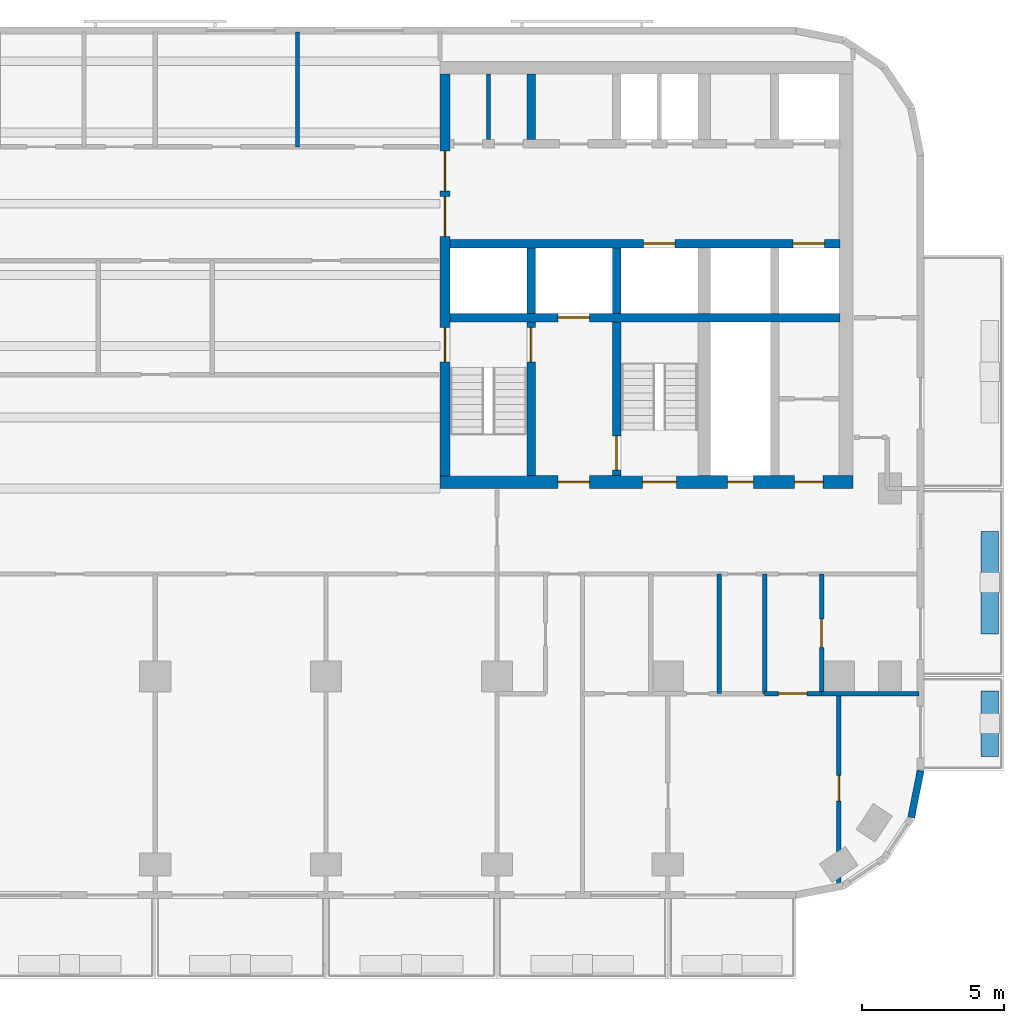
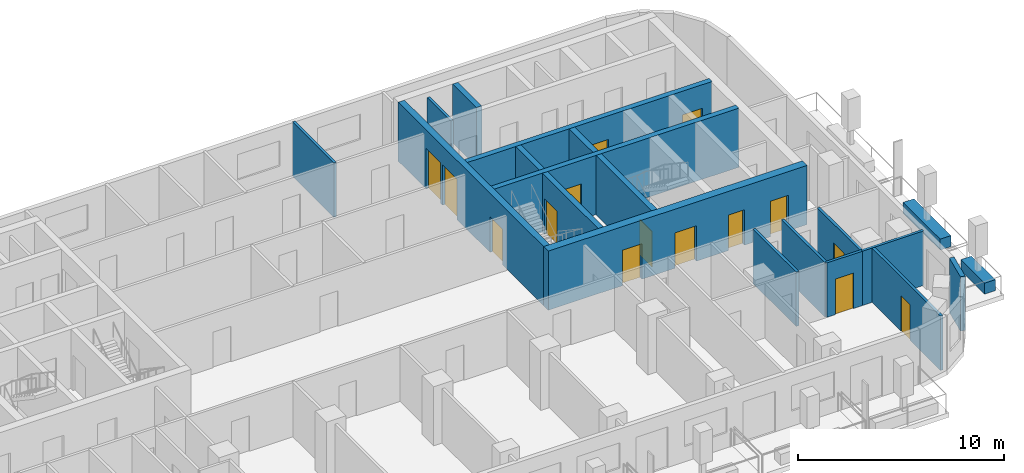
# One storey, part 6 of 12: 20 walls, 15 doors, 15 openings.
"""IFC4 building model written with IfcOpenShell, lengths in metres."""

from ifc_helpers import new_model, si_unit, direction, frame, frame_2d, origin, place, context, subcontext, project, spatial, rectangle, extrude, material, layer, layer_set, type_object, element, fill, save


model = new_model("IFC4")

# Units and contexts
model_context = context("Model", 3, precision=1e-05, world=origin(), true_north=direction((0.0, 1.0)))
body_context = subcontext(model_context, "Body", "Model", "MODEL_VIEW")
ifc_project = project(units=[si_unit("LENGTHUNIT", "METRE"), si_unit("AREAUNIT", "SQUARE_METRE"), si_unit("VOLUMEUNIT", "CUBIC_METRE"), si_unit("PLANEANGLEUNIT", "RADIAN"), si_unit("MASSUNIT", "GRAM", prefix="KILO")], contexts=[model_context])

# Site, building, storey
site_placement = place(None, origin())
site = spatial("IfcSite", under=ifc_project, at=site_placement, CompositionType="ELEMENT")
building_placement = place(site_placement, origin())
building = spatial("IfcBuilding", under=site, at=building_placement, Name="Torana Hotel and Residences", CompositionType="ELEMENT")
storey_placement = place(building_placement, frame((0.0, 0.0, 201.10009765625)))
storey = spatial("IfcBuildingStorey", under=building, at=storey_placement, Name="L52", CompositionType="ELEMENT", Elevation=201.10009765625)

# Wall, openings, doors
ifc_material_1 = material(Name="Concrete C70/85", Category="concrete")
ifc_layer_1 = layer(ifc_material_1, 0.300048828125)
ifc_layer_set_1 = layer_set([ifc_layer_1], Name="CORE WALL 300 C70/85")
wall_type_1 = type_object("IfcWallType", Name="CORE WALL 300 C70/85", PredefinedType="SHEAR", material=ifc_layer_set_1)
wall_1_placement = place(storey_placement, frame((10.35009765625, -6.39990234375, 0.0), z_axis=(0.0, 0.0, 1.0), x_axis=(1.0, 0.0, 0.0)))
wall_1 = element("IfcWall", 1, at=wall_1_placement, inside=storey, type_object=wall_type_1, Name="Core wall E row-S", PredefinedType="SHEAR", context=body_context, shape_type="SweptSolid", body=[
    extrude(rectangle(XDim=13.699951171875, YDim=0.300048828125, at=frame_2d((6.85009765625, 0.0))), origin(), (0.0, 0.0, 1.0), 3.5),
])
opening_1_placement = place(wall_1_placement, frame((12.050048828125, 0.0, 0.0)))
opening_1 = element("IfcOpeningElement", 2, at=opening_1_placement, cuts=wall_1, Name="Opening LD", PredefinedType="OPENING", context=body_context, shape_type="SweptSolid", body=[
    extrude(rectangle(XDim=1.10009765625, YDim=2.10009765625, at=frame_2d((0.550048828125, 1.050048828125))), frame((0.0, 0.159912109375, 0.0), z_axis=(0.0, -1.0, 0.0), x_axis=(1.0, 0.0, 0.0)), (0.0, 0.0, 1.0), 0.320068359375),
])
opening_2_placement = place(wall_1_placement, frame((6.800048828125, 0.0, 0.0)))
opening_2 = element("IfcOpeningElement", 3, at=opening_2_placement, cuts=wall_1, Name="Opening LD", PredefinedType="OPENING", context=body_context, shape_type="SweptSolid", body=[
    extrude(rectangle(XDim=1.10009765625, YDim=2.10009765625, at=frame_2d((0.550048828125, 1.050048828125))), frame((0.0, 0.159912109375, 0.0), z_axis=(0.0, -1.0, 0.0), x_axis=(1.0, 0.0, 0.0)), (0.0, 0.0, 1.0), 0.320068359375),
])
ifc_material_2 = material(Name="Stainless steel 316", Category="steel")
door_type_1 = type_object("IfcDoorType", Name="LIFT LANDING DOOR LD 1100x2100", OperationType="DOUBLE_DOOR_SLIDING", PredefinedType="USERDEFINED", material=ifc_material_2)
door_1_placement = place(opening_1_placement, origin())
door_1 = element("IfcDoor", 4, at=door_1_placement, inside=storey, type_object=door_type_1, Name="Lift landing door M4 L52", ObjectType="LIFT LANDING DOOR", OperationType="DOUBLE_DOOR_SLIDING", OverallHeight=2.10009765625, OverallWidth=1.10009765625, PredefinedType="USERDEFINED", context=body_context, shape_type="SweptSolid", body=[
    extrude(rectangle(XDim=1.10009765625, YDim=2.10009765625, at=frame_2d((0.550048828125, 1.050048828125))), frame((0.0, 0.02490234375, 0.0), z_axis=(0.0, -1.0, 0.0), x_axis=(1.0, 0.0, 0.0)), (0.0, 0.0, 1.0), 0.050048828125),
])
fill(opening_1, door_1)
door_2_placement = place(opening_2_placement, origin())
door_2 = element("IfcDoor", 5, at=door_2_placement, inside=storey, type_object=door_type_1, Name="Lift landing door SV2 L52", ObjectType="LIFT LANDING DOOR", OperationType="DOUBLE_DOOR_SLIDING", OverallHeight=2.10009765625, OverallWidth=1.10009765625, PredefinedType="USERDEFINED", context=body_context, shape_type="SweptSolid", body=[
    extrude(rectangle(XDim=1.10009765625, YDim=2.10009765625, at=frame_2d((0.550048828125, 1.050048828125))), frame((0.0, 0.02490234375, 0.0), z_axis=(0.0, -1.0, 0.0), x_axis=(1.0, 0.0, 0.0)), (0.0, 0.0, 1.0), 0.050048828125),
])
fill(opening_2, door_2)

# Wall, opening, door
wall_2_placement = place(storey_placement, frame((10.35009765625, -9.0, 0.0), z_axis=(0.0, 0.0, 1.0), x_axis=(1.0, 0.0, 0.0)))
wall_2 = element("IfcWall", 6, at=wall_2_placement, inside=storey, type_object=wall_type_1, Name="Core wall E band", PredefinedType="SHEAR", context=body_context, shape_type="SweptSolid", body=[
    extrude(rectangle(XDim=13.699951171875, YDim=0.300048828125, at=frame_2d((6.85009765625, 0.0))), origin(), (0.0, 0.0, 1.0), 3.5),
])
opening_3_placement = place(wall_2_placement, frame((3.800048828125, 0.0, 0.0)))
opening_3 = element("IfcOpeningElement", 7, at=opening_3_placement, cuts=wall_2, Name="Opening LD", PredefinedType="OPENING", context=body_context, shape_type="SweptSolid", body=[
    extrude(rectangle(XDim=1.10009765625, YDim=2.10009765625, at=frame_2d((0.550048828125, 1.050048828125))), frame((0.0, 0.159912109375, 0.0), z_axis=(0.0, -1.0, 0.0), x_axis=(1.0, 0.0, 0.0)), (0.0, 0.0, 1.0), 0.320068359375),
])
door_3_placement = place(opening_3_placement, origin())
door_3 = element("IfcDoor", 8, at=door_3_placement, inside=storey, type_object=door_type_1, Name="Lift landing door FF2 L52", ObjectType="LIFT LANDING DOOR", OperationType="DOUBLE_DOOR_SLIDING", OverallHeight=2.10009765625, OverallWidth=1.10009765625, PredefinedType="USERDEFINED", context=body_context, shape_type="SweptSolid", body=[
    extrude(rectangle(XDim=1.10009765625, YDim=2.10009765625, at=frame_2d((0.550048828125, 1.050048828125))), frame((0.0, 0.02490234375, 0.0), z_axis=(0.0, -1.0, 0.0), x_axis=(1.0, 0.0, 0.0)), (0.0, 0.0, 1.0), 0.050048828125),
])
fill(opening_3, door_3)

# Walls
for number, where, z_axis, x_axis, name in (
    (9, (13.199951171875, -2.75, 0.0), (0.0, 0.0, 1.0), (0.0, 1.0, 0.0), "Core wall E x3.05-N"),
    (10, (13.199951171875, -8.85009765625, 0.0), (0.0, 0.0, 1.0), (0.0, 1.0, 0.0), "Core wall E x3.05-S"),
):
    element("IfcWall", number, at=place(storey_placement, frame(where, z_axis=z_axis, x_axis=x_axis)), inside=storey, type_object=wall_type_1, Name=name, PredefinedType="SHEAR", context=body_context, shape_type="SweptSolid", body=[
        extrude(rectangle(XDim=2.300048828125, YDim=0.300048828125, at=frame_2d((1.14990234375, 0.0))), origin(), (0.0, 0.0, 1.0), 3.5),
    ])

# Wall, opening, door
wall_3_placement = place(storey_placement, frame((13.199951171875, -14.550048828125, 0.0), z_axis=(0.0, 0.0, 1.0), x_axis=(0.0, 1.0, 0.0)))
wall_3 = element("IfcWall", 11, at=wall_3_placement, inside=storey, type_object=wall_type_1, Name="Core wall E x3.05-band", PredefinedType="SHEAR", context=body_context, shape_type="SweptSolid", body=[
    extrude(rectangle(XDim=5.400146484375, YDim=0.300048828125, at=frame_2d((2.7001953125, 0.0))), origin(), (0.0, 0.0, 1.0), 3.5),
])
opening_4_placement = place(wall_3_placement, frame((4.0, 0.0, 0.0)))
opening_4 = element("IfcOpeningElement", 12, at=opening_4_placement, cuts=wall_3, Name="Opening L52-29", PredefinedType="OPENING", context=body_context, shape_type="SweptSolid", body=[
    extrude(rectangle(XDim=1.199951171875, YDim=2.10009765625, at=frame_2d((0.60009765625, 1.050048828125))), frame((0.0, 0.159912109375, 0.0), z_axis=(0.0, -1.0, 0.0), x_axis=(1.0, 0.0, 0.0)), (0.0, 0.0, 1.0), 0.320068359375),
])
ifc_material_3 = material(Name="Steel S235", Category="steel")
door_type_2 = type_object("IfcDoorType", Name="STAIR FIRE DOOR D3 1200x2100", OperationType="SINGLE_SWING_LEFT", PredefinedType="DOOR", material=ifc_material_3)
door_4_placement = place(opening_4_placement, origin())
door_4 = element("IfcDoor", 13, at=door_4_placement, inside=storey, type_object=door_type_2, Name="Stair-A-lobby door L52", OperationType="SINGLE_SWING_LEFT", OverallHeight=2.10009765625, OverallWidth=1.199951171875, PredefinedType="DOOR", context=body_context, shape_type="SweptSolid", body=[
    extrude(rectangle(XDim=1.199951171875, YDim=2.10009765625, at=frame_2d((0.60009765625, 1.050048828125))), frame((0.0, 0.02490234375, 0.0), z_axis=(0.0, -1.0, 0.0), x_axis=(1.0, 0.0, 0.0)), (0.0, 0.0, 1.0), 0.050048828125),
])
fill(opening_4, door_4)

# Wall
wall_4_placement = place(storey_placement, frame((16.199951171875, -8.85009765625, 0.0), z_axis=(0.0, 0.0, 1.0), x_axis=(0.0, 1.0, 0.0)))
element("IfcWall", 14, at=wall_4_placement, inside=storey, type_object=wall_type_1, Name="Core wall E x6.05-S", PredefinedType="SHEAR", context=body_context, shape_type="SweptSolid", body=[
    extrude(rectangle(XDim=2.300048828125, YDim=0.300048828125, at=frame_2d((1.14990234375, 0.0))), origin(), (0.0, 0.0, 1.0), 3.5),
])

# Wall, opening, door
wall_5_placement = place(storey_placement, frame((16.199951171875, -14.550048828125, 0.0), z_axis=(0.0, 0.0, 1.0), x_axis=(0.0, 1.0, 0.0)))
wall_5 = element("IfcWall", 15, at=wall_5_placement, inside=storey, type_object=wall_type_1, Name="Core wall E x6.05-band", PredefinedType="SHEAR", context=body_context, shape_type="SweptSolid", body=[
    extrude(rectangle(XDim=5.400146484375, YDim=0.300048828125, at=frame_2d((2.7001953125, 0.0))), origin(), (0.0, 0.0, 1.0), 3.5),
])
opening_5_placement = place(wall_5_placement, frame((0.199951171875, 0.0, 0.0)))
opening_5 = element("IfcOpeningElement", 16, at=opening_5_placement, cuts=wall_5, Name="Opening L52-30", PredefinedType="OPENING", context=body_context, shape_type="SweptSolid", body=[
    extrude(rectangle(XDim=1.199951171875, YDim=2.10009765625, at=frame_2d((0.60009765625, 1.050048828125))), frame((0.0, 0.159912109375, 0.0), z_axis=(0.0, -1.0, 0.0), x_axis=(1.0, 0.0, 0.0)), (0.0, 0.0, 1.0), 0.320068359375),
])
door_5_placement = place(opening_5_placement, frame((0.60009765625, 0.0, 0.0), z_axis=(0.0, 0.0, 1.0), x_axis=(-1.0, 0.0, 0.0)))
door_5 = element("IfcDoor", 17, at=door_5_placement, inside=storey, type_object=door_type_2, Name="Stair-B-lobby door L52", OperationType="SINGLE_SWING_LEFT", OverallHeight=2.10009765625, OverallWidth=1.199951171875, PredefinedType="DOOR", context=body_context, shape_type="SweptSolid", body=[
    extrude(rectangle(XDim=1.199951171875, YDim=2.10009765625, at=frame_2d((0.0, 1.050048828125))), frame((0.0, -0.02490234375, 0.0), z_axis=(0.0, 1.0, 0.0), x_axis=(-1.0, 0.0, 0.0)), (0.0, 0.0, 1.0), 0.050048828125),
])
fill(opening_5, door_5)

# Wall, openings, doors
ifc_material_4 = material(Name="Concrete C70/85", Category="concrete")
ifc_layer_2 = layer(ifc_material_4, 0.35009765625)
ifc_layer_set_2 = layer_set([ifc_layer_2], Name="CORE WALL 350 C70/85")
wall_type_2 = type_object("IfcWallType", Name="CORE WALL 350 C70/85", PredefinedType="SHEAR", material=ifc_layer_set_2)
wall_6_placement = place(storey_placement, frame((10.175048828125, -14.550048828125, 0.0), z_axis=(0.0, 0.0, 1.0), x_axis=(0.0, 1.0, 0.0)))
wall_6 = element("IfcWall", 18, at=wall_6_placement, inside=storey, type_object=wall_type_2, Name="Core wall E arch", PredefinedType="SHEAR", context=body_context, shape_type="SweptSolid", body=[
    extrude(rectangle(XDim=14.10009765625, YDim=0.35009765625, at=frame_2d((7.050048828125, 0.0))), origin(), (0.0, 0.0, 1.0), 3.5),
])
opening_6_placement = place(wall_6_placement, frame((8.39990234375, 0.0, 0.0)))
opening_6 = element("IfcOpeningElement", 19, at=opening_6_placement, cuts=wall_6, Name="Opening L52-16", PredefinedType="OPENING", context=body_context, shape_type="SweptSolid", body=[
    extrude(rectangle(XDim=1.39990234375, YDim=2.39990234375, at=frame_2d((0.699951171875, 1.199951171875))), frame((0.0, 0.18505859375, 0.0), z_axis=(0.0, -1.0, 0.0), x_axis=(1.0, 0.0, 0.0)), (0.0, 0.0, 1.0), 0.3701171875),
])
opening_7_placement = place(wall_6_placement, frame((10.0, 0.0, 0.0)))
opening_7 = element("IfcOpeningElement", 20, at=opening_7_placement, cuts=wall_6, Name="Opening L52-17", PredefinedType="OPENING", context=body_context, shape_type="SweptSolid", body=[
    extrude(rectangle(XDim=1.39990234375, YDim=2.39990234375, at=frame_2d((0.699951171875, 1.199951171875))), frame((0.0, 0.18505859375, 0.0), z_axis=(0.0, -1.0, 0.0), x_axis=(1.0, 0.0, 0.0)), (0.0, 0.0, 1.0), 0.3701171875),
])
opening_8_placement = place(wall_6_placement, frame((4.0, 0.0, 0.0)))
opening_8 = element("IfcOpeningElement", 21, at=opening_8_placement, cuts=wall_6, Name="Opening L52-18", PredefinedType="OPENING", context=body_context, shape_type="SweptSolid", body=[
    extrude(rectangle(XDim=1.199951171875, YDim=2.10009765625, at=frame_2d((0.60009765625, 1.050048828125))), frame((0.0, 0.18505859375, 0.0), z_axis=(0.0, -1.0, 0.0), x_axis=(1.0, 0.0, 0.0)), (0.0, 0.0, 1.0), 0.3701171875),
])
ifc_material_5 = material(Name="Steel S235", Category="steel")
door_type_3 = type_object("IfcDoorType", Name="LOBBY FIRE DOOR D4 1400x2400", OperationType="DOUBLE_DOOR_SINGLE_SWING", PredefinedType="DOOR", material=ifc_material_5)
door_6_placement = place(opening_6_placement, origin())
door_6 = element("IfcDoor", 22, at=door_6_placement, inside=storey, type_object=door_type_3, Name="Lobby-1 door L52", OperationType="DOUBLE_DOOR_SINGLE_SWING", OverallHeight=2.39990234375, OverallWidth=1.39990234375, PredefinedType="DOOR", context=body_context, shape_type="SweptSolid", body=[
    extrude(rectangle(XDim=1.39990234375, YDim=2.39990234375, at=frame_2d((0.699951171875, 1.199951171875))), frame((0.0, 0.02490234375, 0.0), z_axis=(0.0, -1.0, 0.0), x_axis=(1.0, 0.0, 0.0)), (0.0, 0.0, 1.0), 0.050048828125),
])
fill(opening_6, door_6)
door_7_placement = place(opening_7_placement, origin())
door_7 = element("IfcDoor", 23, at=door_7_placement, inside=storey, type_object=door_type_3, Name="Lobby-2 door L52", OperationType="DOUBLE_DOOR_SINGLE_SWING", OverallHeight=2.39990234375, OverallWidth=1.39990234375, PredefinedType="DOOR", context=body_context, shape_type="SweptSolid", body=[
    extrude(rectangle(XDim=1.39990234375, YDim=2.39990234375, at=frame_2d((0.699951171875, 1.199951171875))), frame((0.0, 0.02490234375, 0.0), z_axis=(0.0, -1.0, 0.0), x_axis=(1.0, 0.0, 0.0)), (0.0, 0.0, 1.0), 0.050048828125),
])
fill(opening_7, door_7)
door_8_placement = place(opening_8_placement, frame((0.60009765625, 0.0, 0.0), z_axis=(0.0, 0.0, 1.0), x_axis=(-1.0, 0.0, 0.0)))
door_8 = element("IfcDoor", 24, at=door_8_placement, inside=storey, type_object=door_type_2, Name="Stair-A door L52", OperationType="SINGLE_SWING_RIGHT", OverallHeight=2.10009765625, OverallWidth=1.199951171875, PredefinedType="DOOR", context=body_context, shape_type="SweptSolid", body=[
    extrude(rectangle(XDim=1.199951171875, YDim=2.10009765625, at=frame_2d((0.0, 1.050048828125))), frame((0.0, -0.02490234375, 0.0), z_axis=(0.0, 1.0, 0.0), x_axis=(-1.0, 0.0, 0.0)), (0.0, 0.0, 1.0), 0.050048828125),
])
fill(opening_8, door_8)

ifc_material_6 = material(Name="Concrete C70/85", Category="concrete")
ifc_layer_3 = layer(ifc_material_6, 0.449951171875)
ifc_layer_set_3 = layer_set([ifc_layer_3], Name="CORE WALL 450 C70/85")
wall_type_3 = type_object("IfcWallType", Name="CORE WALL 450 C70/85", PredefinedType="SHEAR", material=ifc_layer_set_3)
wall_7_placement = place(storey_placement, frame((10.0, -14.77490234375, 0.0), z_axis=(0.0, 0.0, 1.0), x_axis=(1.0, 0.0, 0.0)))
wall_7 = element("IfcWall", 25, at=wall_7_placement, inside=storey, type_object=wall_type_3, Name="Core wall E front", PredefinedType="SHEAR", context=body_context, shape_type="SweptSolid", body=[
    extrude(rectangle(XDim=14.5, YDim=0.449951171875, at=frame_2d((7.25, 0.0))), origin(), (0.0, 0.0, 1.0), 3.5),
])
opening_9_placement = place(wall_7_placement, frame((7.10009765625, 0.0, 0.0)))
opening_9 = element("IfcOpeningElement", 26, at=opening_9_placement, cuts=wall_7, Name="Opening L52-19", PredefinedType="OPENING", context=body_context, shape_type="SweptSolid", body=[
    extrude(rectangle(XDim=1.199951171875, YDim=2.10009765625, at=frame_2d((0.60009765625, 1.050048828125))), frame((0.0, 0.23486328125, 0.0), z_axis=(0.0, -1.0, 0.0), x_axis=(1.0, 0.0, 0.0)), (0.0, 0.0, 1.0), 0.469970703125),
])
opening_10_placement = place(wall_7_placement, frame((4.14990234375, 0.0, 0.0)))
opening_10 = element("IfcOpeningElement", 27, at=opening_10_placement, cuts=wall_7, Name="Opening L52-20", PredefinedType="OPENING", context=body_context, shape_type="SweptSolid", body=[
    extrude(rectangle(XDim=1.10009765625, YDim=2.10009765625, at=frame_2d((0.550048828125, 1.050048828125))), frame((0.0, 0.23486328125, 0.0), z_axis=(0.0, -1.0, 0.0), x_axis=(1.0, 0.0, 0.0)), (0.0, 0.0, 1.0), 0.469970703125),
])
opening_11_placement = place(wall_7_placement, frame((10.10009765625, 0.0, 0.0)))
opening_11 = element("IfcOpeningElement", 28, at=opening_11_placement, cuts=wall_7, Name="Opening L52-21", PredefinedType="OPENING", context=body_context, shape_type="SweptSolid", body=[
    extrude(rectangle(XDim=0.89990234375, YDim=2.10009765625, at=frame_2d((0.449951171875, 1.050048828125))), frame((0.0, 0.23486328125, 0.0), z_axis=(0.0, -1.0, 0.0), x_axis=(1.0, 0.0, 0.0)), (0.0, 0.0, 1.0), 0.469970703125),
])
opening_12_placement = place(wall_7_placement, frame((12.449951171875, 0.0, 0.0)))
opening_12 = element("IfcOpeningElement", 29, at=opening_12_placement, cuts=wall_7, Name="Opening L52-22", PredefinedType="OPENING", context=body_context, shape_type="SweptSolid", body=[
    extrude(rectangle(XDim=1.0, YDim=2.10009765625, at=frame_2d((0.5, 1.050048828125))), frame((0.0, 0.23486328125, 0.0), z_axis=(0.0, -1.0, 0.0), x_axis=(1.0, 0.0, 0.0)), (0.0, 0.0, 1.0), 0.469970703125),
])
ifc_material_7 = material(Name="Steel S235", Category="steel")
door_type_4 = type_object("IfcDoorType", Name="CORE ROOM FIRE DOOR D14 1000x2100", OperationType="SINGLE_SWING_LEFT", PredefinedType="DOOR", material=ifc_material_7)
door_9_placement = place(opening_12_placement, origin())
door_9 = element("IfcDoor", 30, at=door_9_placement, inside=storey, type_object=door_type_4, Name="M-Room-B door L52", OperationType="SINGLE_SWING_RIGHT", OverallHeight=2.10009765625, OverallWidth=1.0, PredefinedType="DOOR", context=body_context, shape_type="SweptSolid", body=[
    extrude(rectangle(XDim=1.0, YDim=2.10009765625, at=frame_2d((0.5, 1.050048828125))), frame((0.0, 0.02490234375, 0.0), z_axis=(0.0, -1.0, 0.0), x_axis=(1.0, 0.0, 0.0)), (0.0, 0.0, 1.0), 0.050048828125),
])
fill(opening_12, door_9)
ifc_material_8 = material(Name="Steel S235", Category="steel")
door_type_5 = type_object("IfcDoorType", Name="FIRE-FIGHTING LOBBY DOOR D8 1100x2100", OperationType="SINGLE_SWING_LEFT", PredefinedType="DOOR", material=ifc_material_8)
door_10_placement = place(opening_10_placement, origin())
door_10 = element("IfcDoor", 31, at=door_10_placement, inside=storey, type_object=door_type_5, Name="FF-lobby door L52", OperationType="SINGLE_SWING_RIGHT", OverallHeight=2.10009765625, OverallWidth=1.10009765625, PredefinedType="DOOR", context=body_context, shape_type="SweptSolid", body=[
    extrude(rectangle(XDim=1.10009765625, YDim=2.10009765625, at=frame_2d((0.550048828125, 1.050048828125))), frame((0.0, 0.02490234375, 0.0), z_axis=(0.0, -1.0, 0.0), x_axis=(1.0, 0.0, 0.0)), (0.0, 0.0, 1.0), 0.050048828125),
])
fill(opening_10, door_10)
ifc_material_9 = material(Name="Steel S235", Category="steel")
door_type_6 = type_object("IfcDoorType", Name="RISER ACCESS DOOR D5 900x2100", OperationType="SINGLE_SWING_LEFT", PredefinedType="DOOR", material=ifc_material_9)
door_11_placement = place(opening_11_placement, origin())
door_11 = element("IfcDoor", 32, at=door_11_placement, inside=storey, type_object=door_type_6, Name="M-Riser door L52", OperationType="SINGLE_SWING_RIGHT", OverallHeight=2.10009765625, OverallWidth=0.89990234375, PredefinedType="DOOR", context=body_context, shape_type="SweptSolid", body=[
    extrude(rectangle(XDim=0.89990234375, YDim=2.10009765625, at=frame_2d((0.449951171875, 1.050048828125))), frame((0.0, 0.02490234375, 0.0), z_axis=(0.0, -1.0, 0.0), x_axis=(1.0, 0.0, 0.0)), (0.0, 0.0, 1.0), 0.050048828125),
])
fill(opening_11, door_11)
door_12_placement = place(opening_9_placement, origin())
door_12 = element("IfcDoor", 33, at=door_12_placement, inside=storey, type_object=door_type_2, Name="Stair-B door L52", OperationType="SINGLE_SWING_RIGHT", OverallHeight=2.10009765625, OverallWidth=1.199951171875, PredefinedType="DOOR", context=body_context, shape_type="SweptSolid", body=[
    extrude(rectangle(XDim=1.199951171875, YDim=2.10009765625, at=frame_2d((0.60009765625, 1.050048828125))), frame((0.0, 0.02490234375, 0.0), z_axis=(0.0, -1.0, 0.0), x_axis=(1.0, 0.0, 0.0)), (0.0, 0.0, 1.0), 0.050048828125),
])
fill(opening_9, door_12)

# Walls
ifc_material_10 = material(Name="Black aluminium composite panel", Category="aluminium")
ifc_layer_4 = layer(ifc_material_10, 0.00390625, Name="Cladding", Category="cladding")
ifc_material_11 = material(Name="Ventilated air cavity")
ifc_layer_5 = layer(ifc_material_11, 0.0400390625, Name="Ventilated cavity", Category="cavity")
ifc_material_12 = material(Name="Mineral wool insulation")
ifc_layer_6 = layer(ifc_material_12, 0.090087890625, Name="Insulation", Category="insulation")
ifc_material_13 = material(Name="Steel S280GD", Category="steel")
ifc_layer_7 = layer(ifc_material_13, 0.092041015625, Name="Steel stud frame", Category="structure")
ifc_material_14 = material(Name="Fire rated plasterboard")
ifc_layer_8 = layer(ifc_material_14, 0.011962890625, Name="Inner board", Category="finish")
ifc_layer_9 = layer(ifc_material_14, 0.011962890625, Name="Second board", Category="finish")
ifc_layer_set_4 = layer_set([ifc_layer_4, ifc_layer_5, ifc_layer_6, ifc_layer_7, ifc_layer_8, ifc_layer_9], Name="EW1 EXTERNAL WALL BLACK METAL CLAD 250")
wall_type_4 = type_object("IfcWallType", Name="EW1 EXTERNAL WALL BLACK METAL CLAD 250", PredefinedType="SOLIDWALL", material=ifc_layer_set_4)
wall_8_placement = place(storey_placement, frame((26.544677734375, -26.548828125, 0.0), z_axis=(0.0, 0.0, 1.0), x_axis=(0.195026884138, 0.980797896849, 0.0)))
element("IfcWall", 34, at=wall_8_placement, inside=storey, type_object=wall_type_4, Name="External wall L52 e0.18", PredefinedType="SOLIDWALL", context=body_context, shape_type="SweptSolid", body=[
    extrude(rectangle(XDim=1.68115234375, YDim=0.25, at=frame_2d((0.840576171875, 0.0))), origin(), (0.0, 0.0, 1.0), 3.219970703125),
])
ifc_material_15 = material(Name="Gypsum plaster")
ifc_layer_10 = layer(ifc_material_15, 0.014892578125, Name="Plaster", Category="finish")
ifc_material_16 = material(Name="Concrete blockwork", Category="masonry")
ifc_layer_11 = layer(ifc_material_16, 0.1201171875, Name="Blockwork", Category="structure")
ifc_layer_12 = layer(ifc_material_15, 0.014892578125, Name="Plaster", Category="finish")
ifc_layer_set_5 = layer_set([ifc_layer_10, ifc_layer_11, ifc_layer_12], Name="FIRE PARTITION 150 BLOCKWORK")
wall_type_5 = type_object("IfcWallType", Name="FIRE PARTITION 150 BLOCKWORK", PredefinedType="PARTITIONING", material=ifc_layer_set_5)
wall_9_placement = place(storey_placement, frame((11.699951171875, -2.75, 0.0), z_axis=(0.0, 0.0, 1.0), x_axis=(0.0, 1.0, 0.0)))
element("IfcWall", 35, at=wall_9_placement, inside=storey, type_object=wall_type_5, Name="Core partition L52", PredefinedType="PARTITIONING", context=body_context, shape_type="SweptSolid", body=[
    extrude(rectangle(XDim=2.300048828125, YDim=0.14990234375, at=frame_2d((1.14990234375, 0.0))), origin(), (0.0, 0.0, 1.0), 3.199951171875),
])

# Wall, opening, door
wall_10_placement = place(storey_placement, frame((23.39990234375, -22.199951171875, 0.0), z_axis=(0.0, 0.0, 1.0), x_axis=(0.0, 1.0, 0.0)))
wall_10 = element("IfcWall", 36, at=wall_10_placement, inside=storey, type_object=wall_type_5, Name="Partition L52", PredefinedType="PARTITIONING", context=body_context, shape_type="SweptSolid", body=[
    extrude(rectangle(XDim=4.199951171875, YDim=0.14990234375, at=frame_2d((2.10009765625, 0.0))), origin(), (0.0, 0.0, 1.0), 3.219970703125),
])
opening_13_placement = place(wall_10_placement, frame((1.6201171875, 0.0, 0.0)))
opening_13 = element("IfcOpeningElement", 37, at=opening_13_placement, cuts=wall_10, Name="Opening L52-66", PredefinedType="OPENING", context=body_context, shape_type="SweptSolid", body=[
    extrude(rectangle(XDim=1.0, YDim=2.10009765625, at=frame_2d((0.5, 1.050048828125))), frame((0.0, 0.0849609375, 0.0), z_axis=(0.0, -1.0, 0.0), x_axis=(1.0, 0.0, 0.0)), (0.0, 0.0, 1.0), 0.169921875),
])
ifc_material_17 = material(Name="Steel S235", Category="steel")
door_type_7 = type_object("IfcDoorType", Name="ENTRY FIRE DOOR D6 1000x2100", OperationType="SINGLE_SWING_LEFT", PredefinedType="DOOR", material=ifc_material_17)
door_13_placement = place(opening_13_placement, frame((0.5, 0.0, 0.0), z_axis=(0.0, 0.0, 1.0), x_axis=(-1.0, 0.0, 0.0)))
door_13 = element("IfcDoor", 38, at=door_13_placement, inside=storey, type_object=door_type_7, Name="Door L52", OperationType="SINGLE_SWING_LEFT", OverallHeight=2.10009765625, OverallWidth=1.0, PredefinedType="DOOR", context=body_context, shape_type="SweptSolid", body=[
    extrude(rectangle(XDim=1.0, YDim=2.10009765625, at=frame_2d((0.0, 1.050048828125))), frame((0.0, -0.02490234375, 0.0), z_axis=(0.0, 1.0, 0.0), x_axis=(-1.0, 0.0, 0.0)), (0.0, 0.0, 1.0), 0.050048828125),
])
fill(opening_13, door_13)

# Wall
wall_11_placement = place(storey_placement, frame((21.39990234375, -22.199951171875, 0.0), z_axis=(0.0, 0.0, 1.0), x_axis=(0.0, 1.0, 0.0)))
element("IfcWall", 39, at=wall_11_placement, inside=storey, type_object=wall_type_5, Name="Partition L52", PredefinedType="PARTITIONING", context=body_context, shape_type="SweptSolid", body=[
    extrude(rectangle(XDim=4.199951171875, YDim=0.14990234375, at=frame_2d((2.10009765625, 0.0))), origin(), (0.0, 0.0, 1.0), 3.219970703125),
])

# Wall, opening, door
wall_12_placement = place(storey_placement, frame((21.39990234375, -22.199951171875, 0.0), z_axis=(0.0, 0.0, 1.0), x_axis=(1.0, 0.0, 0.0)))
wall_12 = element("IfcWall", 40, at=wall_12_placement, inside=storey, type_object=wall_type_5, Name="Partition L52", PredefinedType="PARTITIONING", context=body_context, shape_type="SweptSolid", body=[
    extrude(rectangle(XDim=2.0, YDim=0.14990234375, at=frame_2d((1.0, 0.0))), origin(), (0.0, 0.0, 1.0), 3.219970703125),
])
opening_14_placement = place(wall_12_placement, frame((0.47998046875, 0.0, 0.0)))
opening_14 = element("IfcOpeningElement", 41, at=opening_14_placement, cuts=wall_12, Name="Opening L52-67", PredefinedType="OPENING", context=body_context, shape_type="SweptSolid", body=[
    extrude(rectangle(XDim=1.0, YDim=2.10009765625, at=frame_2d((0.5, 1.050048828125))), frame((0.0, 0.0849609375, 0.0), z_axis=(0.0, -1.0, 0.0), x_axis=(1.0, 0.0, 0.0)), (0.0, 0.0, 1.0), 0.169921875),
])
door_14_placement = place(opening_14_placement, frame((0.5, 0.0, 0.0), z_axis=(0.0, 0.0, 1.0), x_axis=(-1.0, 0.0, 0.0)))
door_14 = element("IfcDoor", 42, at=door_14_placement, inside=storey, type_object=door_type_7, Name="Door L52", OperationType="SINGLE_SWING_RIGHT", OverallHeight=2.10009765625, OverallWidth=1.0, PredefinedType="DOOR", context=body_context, shape_type="SweptSolid", body=[
    extrude(rectangle(XDim=1.0, YDim=2.10009765625, at=frame_2d((0.0, 1.050048828125))), frame((0.0, -0.02490234375, 0.0), z_axis=(0.0, 1.0, 0.0), x_axis=(-1.0, 0.0, 0.0)), (0.0, 0.0, 1.0), 0.050048828125),
])
fill(opening_14, door_14)

ifc_material_18 = material(Name="Gypsum plasterboard")
ifc_layer_13 = layer(ifc_material_18, 0.012451171875, Name="Plasterboard", Category="finish")
ifc_layer_14 = layer(ifc_material_18, 0.012451171875, Name="Plasterboard", Category="finish")
ifc_layer_15 = layer(ifc_material_13, 0.10009765625, Name="Steel studs with mineral wool", Category="insulation")
ifc_layer_16 = layer(ifc_material_18, 0.012451171875, Name="Plasterboard", Category="finish")
ifc_layer_17 = layer(ifc_material_18, 0.012451171875, Name="Plasterboard", Category="finish")
ifc_layer_set_6 = layer_set([ifc_layer_13, ifc_layer_14, ifc_layer_15, ifc_layer_16, ifc_layer_17], Name="PARTITION 150 PLASTERBOARD")
wall_type_6 = type_object("IfcWallType", Name="PARTITION 150 PLASTERBOARD", PredefinedType="PARTITIONING", material=ifc_layer_set_6)
wall_13_placement = place(storey_placement, frame((24.0, -28.918212890625, 0.0), z_axis=(0.0, 0.0, 1.0), x_axis=(0.0, 1.0, 0.0)))
wall_13 = element("IfcWall", 43, at=wall_13_placement, inside=storey, type_object=wall_type_6, Name="Partition L52", PredefinedType="PARTITIONING", context=body_context, shape_type="SweptSolid", body=[
    extrude(rectangle(XDim=6.71826171875, YDim=0.14990234375, at=frame_2d((3.359130859375, 0.0))), origin(), (0.0, 0.0, 1.0), 3.219970703125),
])
opening_15_placement = place(wall_13_placement, frame((2.947998046875, 0.0, 0.0)))
opening_15 = element("IfcOpeningElement", 44, at=opening_15_placement, cuts=wall_13, Name="Opening L52-69", PredefinedType="OPENING", context=body_context, shape_type="SweptSolid", body=[
    extrude(rectangle(XDim=0.89990234375, YDim=2.10009765625, at=frame_2d((0.449951171875, 1.050048828125))), frame((0.0, 0.0849609375, 0.0), z_axis=(0.0, -1.0, 0.0), x_axis=(1.0, 0.0, 0.0)), (0.0, 0.0, 1.0), 0.169921875),
])
ifc_material_19 = material(Name="Timber door, oiled ash", Category="wood")
door_type_8 = type_object("IfcDoorType", Name="ROOM DOOR D7 900x2100", OperationType="SINGLE_SWING_LEFT", PredefinedType="DOOR", material=ifc_material_19)
door_15_placement = place(opening_15_placement, origin())
door_15 = element("IfcDoor", 45, at=door_15_placement, inside=storey, type_object=door_type_8, Name="Door L52", OperationType="SINGLE_SWING_RIGHT", OverallHeight=2.10009765625, OverallWidth=0.89990234375, PredefinedType="DOOR", context=body_context, shape_type="SweptSolid", body=[
    extrude(rectangle(XDim=0.89990234375, YDim=2.10009765625, at=frame_2d((0.449951171875, 1.050048828125))), frame((0.0, 0.02490234375, 0.0), z_axis=(0.0, -1.0, 0.0), x_axis=(1.0, 0.0, 0.0)), (0.0, 0.0, 1.0), 0.050048828125),
])
fill(opening_15, door_15)

# Walls
wall_14_placement = place(storey_placement, frame((19.800048828125, -22.199951171875, 0.0), z_axis=(0.0, 0.0, 1.0), x_axis=(0.0, 1.0, 0.0)))
element("IfcWall", 46, at=wall_14_placement, inside=storey, type_object=wall_type_6, Name="Partition L52", PredefinedType="PARTITIONING", context=body_context, shape_type="SweptSolid", body=[
    extrude(rectangle(XDim=4.199951171875, YDim=0.14990234375, at=frame_2d((2.10009765625, 0.0))), origin(), (0.0, 0.0, 1.0), 3.219970703125),
])
wall_15_placement = place(storey_placement, frame((5.0, -3.0, 0.0), z_axis=(0.0, 0.0, 1.0), x_axis=(0.0, 1.0, 0.0)))
element("IfcWall", 47, at=wall_15_placement, inside=storey, type_object=wall_type_6, Name="Partition L52", PredefinedType="PARTITIONING", context=body_context, shape_type="SweptSolid", body=[
    extrude(rectangle(XDim=4.02001953125, YDim=0.14990234375, at=frame_2d((2.010009765625, 0.0))), origin(), (0.0, 0.0, 1.0), 3.219970703125),
])
wall_16_placement = place(storey_placement, frame((23.39990234375, -22.199951171875, 0.0), z_axis=(0.0, 0.0, 1.0), x_axis=(1.0, 0.0, 0.0)))
element("IfcWall", 48, at=wall_16_placement, inside=storey, type_object=wall_type_6, Name="Partition L52", PredefinedType="PARTITIONING", context=body_context, shape_type="SweptSolid", body=[
    extrude(rectangle(XDim=3.420166015625, YDim=0.14990234375, at=frame_2d((1.7099609375, 0.0))), origin(), (0.0, 0.0, 1.0), 3.219970703125),
])
ifc_material_20 = material(Name="Concrete C40/50 precast", Category="concrete")
ifc_layer_18 = layer(ifc_material_20, 0.10009765625, Name="Planter shell", Category="structure")
ifc_material_21 = material(Name="Root resistant membrane")
ifc_layer_19 = layer(ifc_material_21, 0.00390625, Name="Waterproofing membrane", Category="membrane")
ifc_material_22 = material(Name="Drainage board with filter fleece")
ifc_layer_20 = layer(ifc_material_22, 0.02001953125, Name="Drainage board", Category="drainage")
ifc_material_23 = material(Name="Growing medium")
ifc_layer_21 = layer(ifc_material_23, 0.47607421875, Name="Planting substrate", Category="soil")
ifc_layer_set_7 = layer_set([ifc_layer_18, ifc_layer_19, ifc_layer_20, ifc_layer_21], Name="PL1 BALCONY PLANTER 600")
wall_type_7 = type_object("IfcWallType", Name="PL1 BALCONY PLANTER 600", PredefinedType="USERDEFINED", material=ifc_layer_set_7)
wall_17_placement = place(storey_placement, frame((29.300048828125, -22.10009765625, 0.0), z_axis=(0.0, 0.0, 1.0), x_axis=(0.0, -1.0, 0.0)))
element("IfcWall", 49, at=wall_17_placement, inside=storey, type_object=wall_type_7, Name="Planter 12", ObjectType="PLANTER", PredefinedType="USERDEFINED", context=body_context, shape_type="SweptSolid", body=[
    extrude(rectangle(XDim=2.2998046875, YDim=0.60009765625, at=frame_2d((1.14990234375, 0.0))), origin(), (0.0, 0.0, 1.0), 0.64990234375),
])
wall_18_placement = place(storey_placement, frame((29.300048828125, -16.5, 0.0), z_axis=(0.0, 0.0, 1.0), x_axis=(0.0, -1.0, 0.0)))
element("IfcWall", 50, at=wall_18_placement, inside=storey, type_object=wall_type_7, Name="Planter 13", ObjectType="PLANTER", PredefinedType="USERDEFINED", context=body_context, shape_type="SweptSolid", body=[
    extrude(rectangle(XDim=3.60009765625, YDim=0.60009765625, at=frame_2d((1.800048828125, 0.0))), origin(), (0.0, 0.0, 1.0), 0.64990234375),
])

save(model, "model.ifc")
